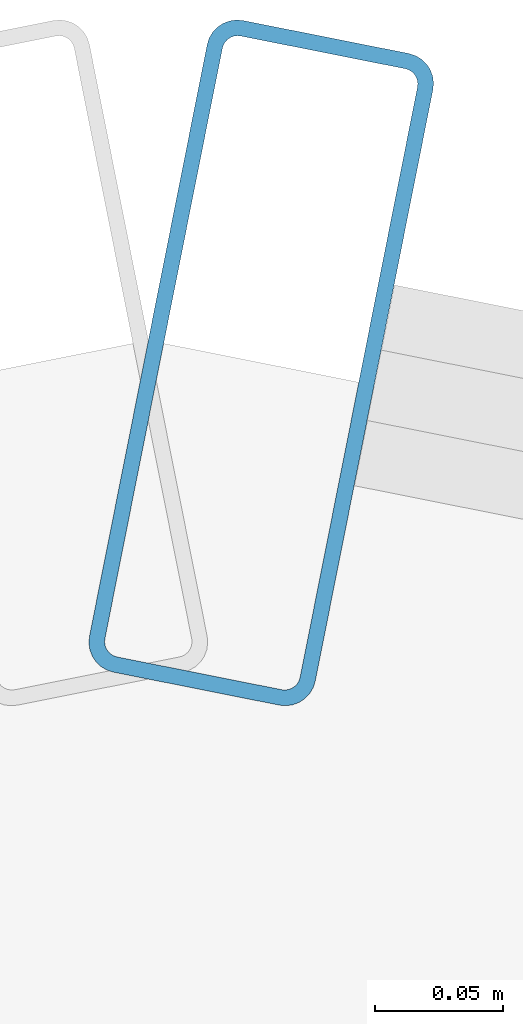
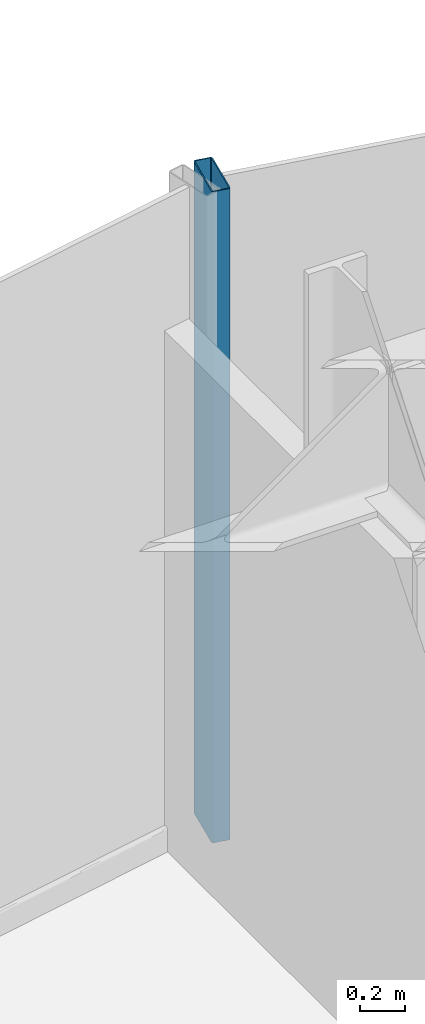
# One storey, part 15 of 26: 1 member, 1 element without a shape of its own.
"""IFC4 building model written with IfcOpenShell, lengths in metres."""

from ifc_helpers import new_model, si_unit, direction, frame, origin, origin_2d, place, context, subcontext, project, spatial, hollow_rectangle, extrude, source, transform, mapped, material, layer, layer_set, material_profile, profile_set, type_object, element, aggregate, save


model = new_model("IFC4")

# Units and contexts
model_context = context("Model", 3, precision=1e-05, world=origin(), true_north=direction((0.0, 1.0)))
body_context = subcontext(model_context, "Body", "Model", "MODEL_VIEW")
ifc_project = project(units=[si_unit("LENGTHUNIT", "METRE"), si_unit("AREAUNIT", "SQUARE_METRE"), si_unit("VOLUMEUNIT", "CUBIC_METRE"), si_unit("PLANEANGLEUNIT", "RADIAN"), si_unit("MASSUNIT", "GRAM", prefix="KILO")], contexts=[model_context])

# Site, building, storey
site_placement = place(None, origin())
site = spatial("IfcSite", under=ifc_project, at=site_placement, CompositionType="ELEMENT")
building_placement = place(site_placement, origin())
building = spatial("IfcBuilding", under=site, at=building_placement, Name="Nefas-Gora Pilgrimage Tower", CompositionType="ELEMENT")
storey_placement = place(building_placement, frame((0.0, 0.0, 94.60009765625)))
storey = spatial("IfcBuildingStorey", under=building, at=storey_placement, Name="L22", CompositionType="ELEMENT", Elevation=94.60009765625)

# Curtain wall, member
ifc_material_1 = material(Name="Dark ceramic-fritted solar-control aluminium-glass curtain wall", Category="aluminium")
ifc_layer = layer(ifc_material_1, 0.219970703125)
ifc_layer_set = layer_set([ifc_layer], Name="Dark ceramic-fritted solar-control aluminium-glass curtain wall")
curtain_wall_type = type_object("IfcCurtainWallType", Name="CW-SYS-5", PredefinedType="NOTDEFINED", material=ifc_layer_set)
curtain_wall_placement = place(storey_placement, origin())
curtain_wall = element("IfcCurtainWall", 1, at=curtain_wall_placement, inside=storey, type_object=curtain_wall_type, Name="L22 Unitised Curtain Wall CW5", PredefinedType="NOTDEFINED")
ifc_material_2 = material(Name="Anodised architectural aluminium", Category="aluminium")
ifc_material_profile = material_profile(ifc_material_2, hollow_rectangle(XDim=0.090087890625, YDim=0.260009765625, WallThickness=0.006103515625, InnerFilletRadius=0.006103515625, OuterFilletRadius=0.011962890625, at=origin_2d()), Name="ALU MULLION 90x260")
ifc_profile_set = profile_set([ifc_material_profile], Name="Anodised architectural aluminium")
member_type = type_object("IfcMemberType", Name="CWM-MUL-5", PredefinedType="MULLION", material=ifc_profile_set)
shared_shape = source(origin(), body_context, "Body", "SweptSolid", [
    extrude(hollow_rectangle(XDim=0.090087890625, YDim=0.260009765625, WallThickness=0.006103515625, InnerFilletRadius=0.006103515625, OuterFilletRadius=0.011962890625, at=origin_2d()), origin(), (0.0, 0.0, 1.0), 3.5498046875),
])
member_placement = place(storey_placement, frame((-2.205810546875, 24.16357421875, 0.0), z_axis=(0.0, 0.0, 1.0), x_axis=(-0.980782896852, 0.195102304554, 0.0)))
member = element("IfcMember", 2, at=member_placement, type_object=member_type, Name="CW5 Mullion 2", PredefinedType="MULLION", context=body_context, shape_type="MappedRepresentation", body=[
    mapped(shared_shape, transform((0.0, 0.0, 0.0), x_axis=(1.0, 0.0, 0.0), y_axis=(0.0, 1.0, 0.0), z_axis=(0.0, 0.0, 1.0), scale=1.0)),
])
aggregate(curtain_wall, [member])

save(model, "model.ifc")
